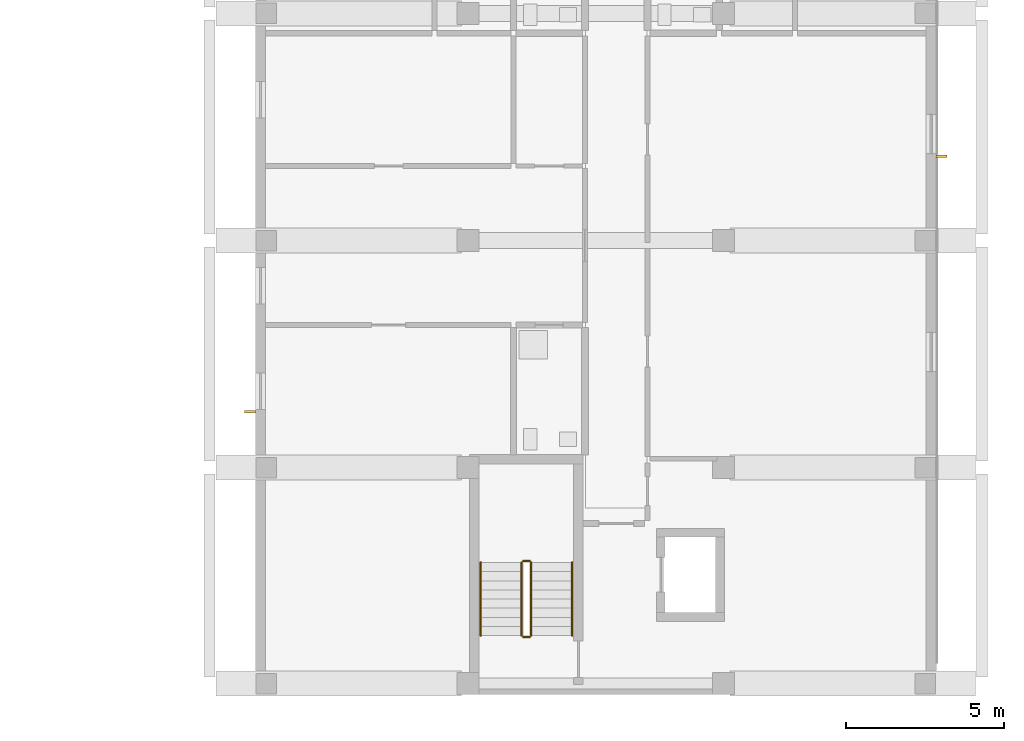
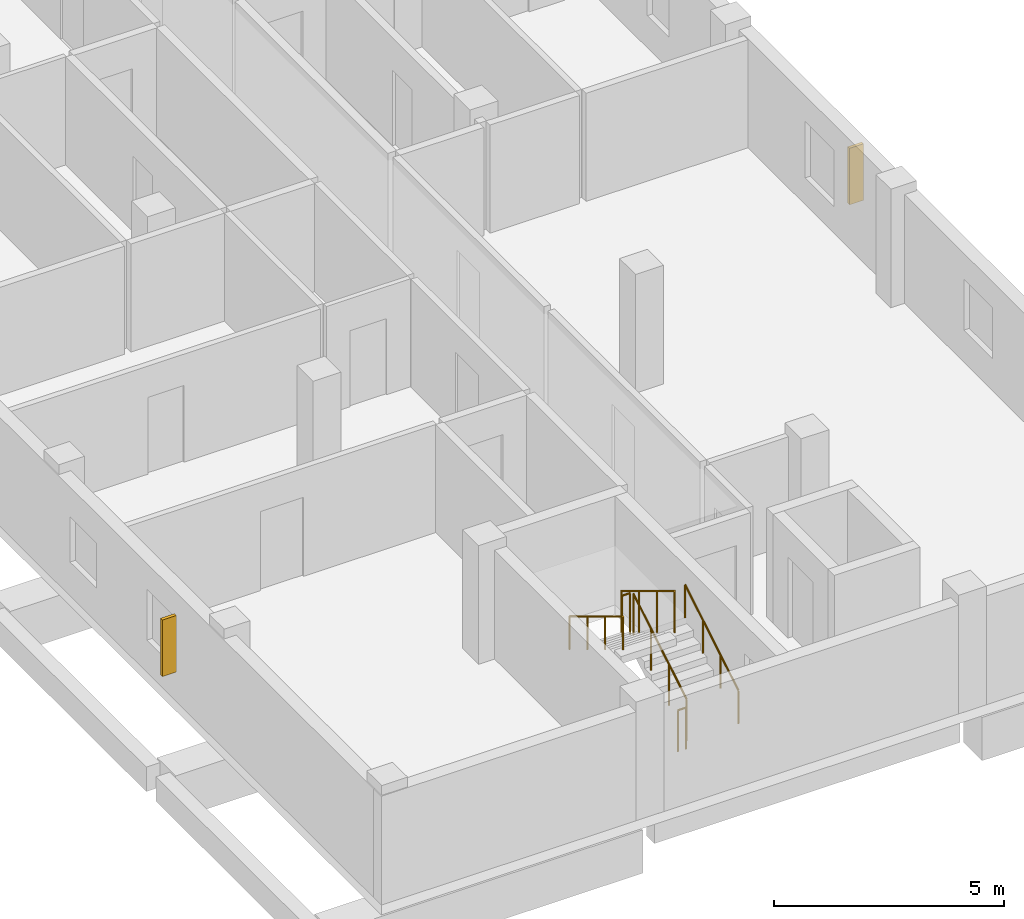
# One storey, part 45 of 51: 6 railings, 2 shading devices.
"""IFC4 building model written with IfcOpenShell, lengths in metres."""

import ifcopenshell
import ifcopenshell.guid

model = None  # the IFC model being written
_history = None  # IfcOwnerHistory: only IFC2X3 demands one
_inside = {}  # id of a spatial element -> (the spatial element, [elements in it])
_under = {}  # id of a project, library or spatial element -> (it, [spatial elements below it])
_declared = {}  # id of a project -> (the project, [libraries it declares])
_typed = {}  # id of a type object -> (the type object, [elements of that type])
_made_of = {}  # id of a material, layer set ... -> (it, [elements and type objects made of it])


def new_model(schema):
    """Start an empty IFC model of exactly this schema.

    Asked for "IFC4X3", IfcOpenShell would pick the latest addendum, in which some entities
    have other attributes; the version numbers below select the first issue.
    IFC2X3 requires an IfcOwnerHistory on every rooted entity: one is made here for all.
    """
    global model, _history
    if schema == "IFC4X3":
        model = ifcopenshell.file(schema_version=(4, 3, 0, 0))
    else:
        model = ifcopenshell.file(schema=schema)
    _inside.clear()
    _under.clear()
    _declared.clear()
    _typed.clear()
    _made_of.clear()
    _history = None
    if model.schema == "IFC2X3":
        org = make("IfcOrganization", Name="unknown")
        user = make(
            "IfcPersonAndOrganization",
            ThePerson=make("IfcPerson", FamilyName="unknown"),
            TheOrganization=org,
        )
        app = make(
            "IfcApplication",
            ApplicationDeveloper=org,
            Version="unknown",
            ApplicationFullName="unknown",
            ApplicationIdentifier="unknown",
        )
        _history = make(
            "IfcOwnerHistory",
            OwningUser=user,
            OwningApplication=app,
            ChangeAction="ADDED",
            CreationDate=0,
        )
    return model


def make(cls, **values):
    """One entity of the class cls with the attributes given. An attribute that is None is left unset."""
    return model.create_entity(
        cls, **{name: value for name, value in values.items() if value is not None}
    )


def rooted(cls, **values):
    """An entity with a GlobalId (a new one), such as an element, a storey or a relation."""
    return make(cls, GlobalId=ifcopenshell.guid.new(), OwnerHistory=_history, **values)


def si_unit(unit_type, name, prefix=None):
    """IfcSIUnit, for example si_unit("LENGTHUNIT", "METRE", prefix="MILLI")."""
    return make("IfcSIUnit", UnitType=unit_type, Prefix=prefix, Name=name)


def derived_unit(unit_type, elements):
    """IfcDerivedUnit: a product of units, each with its exponent."""
    return make(
        "IfcDerivedUnit",
        Elements=[
            make("IfcDerivedUnitElement", Unit=unit, Exponent=power)
            for unit, power in elements
        ],
        UnitType=unit_type,
    )


def assignment(units):
    """IfcUnitAssignment: the units of a project."""
    return None if units is None else make("IfcUnitAssignment", Units=units)


def point(xyz):
    """IfcCartesianPoint."""
    return None if xyz is None else make("IfcCartesianPoint", Coordinates=xyz)


def direction(xyz):
    """IfcDirection."""
    return None if xyz is None else make("IfcDirection", DirectionRatios=xyz)


def frame(location, z_axis=None, x_axis=None):
    """IfcAxis2Placement3D, a coordinate frame: its origin and axes. An axis left out is left unset."""
    return make(
        "IfcAxis2Placement3D",
        Location=point(location),
        Axis=direction(z_axis),
        RefDirection=direction(x_axis),
    )


def frame_2d(location, x_axis=None):
    """IfcAxis2Placement2D, a coordinate frame in the plane: its origin and x axis."""
    return make(
        "IfcAxis2Placement2D", Location=point(location), RefDirection=direction(x_axis)
    )


def origin():
    """The frame at (0, 0, 0) with its axes left unset."""
    return frame((0.0, 0.0, 0.0))


def origin_2d():
    """The frame at (0, 0) in the plane with its x axis left unset."""
    return frame_2d((0.0, 0.0))


def place(relative_to, where):
    """IfcLocalPlacement: puts the frame where relative to a parent placement (None: the world)."""
    return make(
        "IfcLocalPlacement", PlacementRelTo=relative_to, RelativePlacement=where
    )


def context(
    kind, dimensions, precision=None, world=None, true_north=None, identifier=None
):
    """IfcGeometricRepresentationContext, for example the 3D "Model" context."""
    return make(
        "IfcGeometricRepresentationContext",
        ContextIdentifier=identifier,
        ContextType=kind,
        CoordinateSpaceDimension=dimensions,
        Precision=precision,
        WorldCoordinateSystem=world,
        TrueNorth=true_north,
    )


def subcontext(parent, identifier, kind, view, scale=None):
    """IfcGeometricRepresentationSubContext, for example "Body" below "Model"."""
    return make(
        "IfcGeometricRepresentationSubContext",
        ContextIdentifier=identifier,
        ContextType=kind,
        ParentContext=parent,
        TargetScale=scale,
        TargetView=view,
    )


def project(units=None, contexts=None):
    """IfcProject with its units and contexts."""
    return rooted(
        "IfcProject",
        Name="project",
        RepresentationContexts=contexts,
        UnitsInContext=assignment(units),
    )


def spatial(cls, under=None, at=None, **own):
    """A site, building, storey or space (cls), placed at a placement, below another one or the project."""
    s = rooted(cls, ObjectPlacement=at, **own)
    if under is not None:
        _under.setdefault(under.id(), (under, []))[1].append(s)
    return s


def profile(cls, at=None, kind="AREA", **sizes):
    """A parametric profile (cls). Its sizes go by their IFC names, for example OverallWidth=200.0."""
    return make(cls, ProfileType=kind, Position=at, **sizes)


def rectangle(**sizes):
    """IfcRectangleProfileDef."""
    return profile("IfcRectangleProfileDef", **sizes)


def circle(**sizes):
    """IfcCircleProfileDef."""
    return profile("IfcCircleProfileDef", **sizes)


def extrude(swept, where, along, depth):
    """IfcExtrudedAreaSolid: the profile swept, set in the frame where, extruded along a direction by depth."""
    return make(
        "IfcExtrudedAreaSolid",
        SweptArea=swept,
        Position=where,
        ExtrudedDirection=direction(along),
        Depth=depth,
    )


def shape(context_of_items, identifier, shape_type, items):
    """IfcShapeRepresentation: the items that make up one representation, for example the "Body"."""
    return make(
        "IfcShapeRepresentation",
        ContextOfItems=context_of_items,
        RepresentationIdentifier=identifier,
        RepresentationType=shape_type,
        Items=items,
    )


def material(Name=None, Category=None):
    """IfcMaterial."""
    return make("IfcMaterial", Name=Name, Category=Category)


def made_of(thing, what):
    """Note that an element or type object is made of a material, layer set ...; save() writes the relation."""
    if what is not None:
        _made_of.setdefault(what.id(), (what, []))[1].append(thing)
    return thing


def type_object(cls, material=None, **own):
    """A type object (cls), such as IfcWallType, which elements share."""
    return made_of(rooted(cls, **own), material)


def element(
    cls,
    number,
    at=None,
    inside=None,
    cuts=None,
    type_object=None,
    material=None,
    context=None,
    identifier="Body",
    shape_type=None,
    held_by="IfcProductDefinitionShape",
    body=None,
    shapes=None,
    **own,
):
    """One element of the class cls, such as IfcWall. Its Tag is "e" and its number.

    at: its placement. inside: the storey or other place that contains it. cuts: it is an
    opening in that element (IfcRelVoidsElement). A single representation is given by context,
    identifier, shape_type and body (its items); several are given by shapes. held_by: the class
    of the entity that holds the representations. save() writes the other relations.
    """
    e = rooted(cls, Tag="e%d" % number, ObjectPlacement=at, **own)
    if body is not None:
        shapes = [shape(context, identifier, shape_type, body)]
    if shapes is not None:
        e.Representation = make(held_by, Representations=shapes)
    if inside is not None:
        _inside.setdefault(inside.id(), (inside, []))[1].append(e)
    if cuts is not None:
        rooted(
            "IfcRelVoidsElement", RelatingBuildingElement=cuts, RelatedOpeningElement=e
        )
    if type_object is not None:
        _typed.setdefault(type_object.id(), (type_object, []))[1].append(e)
    return made_of(e, material)


def aggregate(whole, parts):
    """IfcRelAggregates: a whole, such as a stair, and the parts it consists of."""
    return rooted("IfcRelAggregates", RelatingObject=whole, RelatedObjects=parts)


def save(model, path):
    """Write the relations noted so far, then the file.

    IfcRelAggregates (storeys below a building ...), IfcRelContainedInSpatialStructure (elements
    in a storey), IfcRelDefinesByType, IfcRelAssociatesMaterial and IfcRelDeclares: one each for
    every whole, place, type object, material and project.
    """
    for whole, parts in _under.values():
        aggregate(whole, parts)
    for where, things in _inside.values():
        rooted(
            "IfcRelContainedInSpatialStructure",
            RelatedElements=things,
            RelatingStructure=where,
        )
    for kind, things in _typed.values():
        rooted("IfcRelDefinesByType", RelatedObjects=things, RelatingType=kind)
    for what, things in _made_of.values():
        rooted("IfcRelAssociatesMaterial", RelatedObjects=things, RelatingMaterial=what)
    for by, libraries in _declared.values():
        rooted("IfcRelDeclares", RelatingContext=by, RelatedDefinitions=libraries)
    model.write(path)


model = new_model("IFC4")

# Units and contexts
model_context = context("Model", 3, precision=1e-05, world=origin(), true_north=direction((0.0, 1.0)))
body_context = subcontext(model_context, "Body", "Model", "MODEL_VIEW")
ifc_project = project(units=[si_unit("LENGTHUNIT", "METRE"), si_unit("AREAUNIT", "SQUARE_METRE"), si_unit("VOLUMEUNIT", "CUBIC_METRE"), si_unit("PLANEANGLEUNIT", "RADIAN"), si_unit("MASSUNIT", "GRAM", prefix="KILO"), derived_unit("THERMALTRANSMITTANCEUNIT", [(si_unit("MASSUNIT", "GRAM", prefix="KILO"), 1), (si_unit("TIMEUNIT", "SECOND"), -3), (si_unit("THERMODYNAMICTEMPERATUREUNIT", "KELVIN"), -1)])], contexts=[model_context])

# Site, building, storey
site_placement = place(None, origin())
site = spatial("IfcSite", under=ifc_project, at=site_placement, CompositionType="ELEMENT")
building_placement = place(site_placement, origin())
building = spatial("IfcBuilding", under=site, at=building_placement, Name="Ochrekiln Boulevard Commons", CompositionType="ELEMENT")
storey_placement = place(building_placement, frame((0.0, 0.0, 18.375)))
storey = spatial("IfcBuildingStorey", under=building, at=storey_placement, Name="L05", CompositionType="ELEMENT", Elevation=18.375)

# Railings
ifc_material_1 = material(Name="Brushed stainless steel 316 tubular railing", Category="steel")
railing_type_1 = type_object("IfcRailingType", Name="RLG-HDR-900", PredefinedType="HANDRAIL", material=ifc_material_1)
railing_1_placement = place(storey_placement, frame((159.449951171875, 1.8701171875, 0.175048828125)))
element("IfcRailing", 1, at=railing_1_placement, inside=storey, type_object=railing_type_1, Name="L05 ST-C1 stair handrail 1", PredefinedType="HANDRAIL", context=body_context, shape_type="SweptSolid", body=[
    extrude(circle(Radius=0.02392578125, at=origin_2d()), frame((0.0, 0.0, 0.8759765625), z_axis=(0.0, 0.856186286599, 0.516667245565), x_axis=(-1.0, 0.0, 0.0)), (0.0, 0.0, 1.0), 2.70947265625),
    extrude(circle(Radius=0.02099609375, at=origin_2d()), origin(), (0.0, 0.0, 1.0), 0.851806640625),
    extrude(circle(Radius=0.02099609375, at=origin_2d()), frame((0.0, 0.773193359375, 0.466552734375)), (0.0, 0.0, 1.0), 0.851806640625),
    extrude(circle(Radius=0.02099609375, at=origin_2d()), frame((0.0, 1.546630859375, 0.933349609375)), (0.0, 0.0, 1.0), 0.851806640625),
    extrude(circle(Radius=0.02099609375, at=origin_2d()), frame((0.0, 2.31982421875, 1.39990234375)), (0.0, 0.0, 1.0), 0.851806640625),
])
railing_2_placement = place(storey_placement, frame((156.550048828125, 4.18994140625, 1.75)))
element("IfcRailing", 2, at=railing_2_placement, inside=storey, type_object=railing_type_1, Name="L05 ST-C1 stair handrail 2", PredefinedType="HANDRAIL", context=body_context, shape_type="SweptSolid", body=[
    extrude(circle(Radius=0.02392578125, at=origin_2d()), frame((0.0, 0.0, 0.8759765625), z_axis=(0.0, -0.856186286599, 0.516667245565), x_axis=(1.0, 0.0, 0.0)), (0.0, 0.0, 1.0), 2.70947265625),
    extrude(circle(Radius=0.02099609375, at=origin_2d()), origin(), (0.0, 0.0, 1.0), 0.851806640625),
    extrude(circle(Radius=0.02099609375, at=origin_2d()), frame((0.0, -0.773193359375, 0.466552734375)), (0.0, 0.0, 1.0), 0.851806640625),
    extrude(circle(Radius=0.02099609375, at=origin_2d()), frame((0.0, -1.546630859375, 0.933349609375)), (0.0, 0.0, 1.0), 0.851806640625),
    extrude(circle(Radius=0.02099609375, at=origin_2d()), frame((0.0, -2.31982421875, 1.39990234375)), (0.0, 0.0, 1.0), 0.851806640625),
])
railing_type_2 = type_object("IfcRailingType", Name="RLG-STR-1120", PredefinedType="BALUSTRADE", material=ifc_material_1)
railing_3_placement = place(storey_placement, frame((158.14990234375, 1.8701171875, 0.175048828125)))
element("IfcRailing", 3, at=railing_3_placement, inside=storey, type_object=railing_type_2, Name="L05 ST-C1 stair guard 1", PredefinedType="BALUSTRADE", context=body_context, shape_type="SweptSolid", body=[
    extrude(circle(Radius=0.02392578125, at=origin_2d()), frame((0.0, 0.0, 1.09619140625), z_axis=(0.0, 0.856186286599, 0.516667245565), x_axis=(-1.0, 0.0, 0.0)), (0.0, 0.0, 1.0), 2.70947265625),
    extrude(circle(Radius=0.02099609375, at=origin_2d()), origin(), (0.0, 0.0, 1.0), 1.072021484375),
    extrude(circle(Radius=0.02099609375, at=origin_2d()), frame((0.0, 0.773193359375, 0.466552734375)), (0.0, 0.0, 1.0), 1.072021484375),
    extrude(circle(Radius=0.02099609375, at=origin_2d()), frame((0.0, 1.546630859375, 0.933349609375)), (0.0, 0.0, 1.0), 1.072021484375),
    extrude(circle(Radius=0.02099609375, at=origin_2d()), frame((0.0, 2.31982421875, 1.39990234375)), (0.0, 0.0, 1.0), 1.072021484375),
])
railing_4_placement = place(storey_placement, frame((158.10009765625, 4.239990234375, 1.574951171875)))
element("IfcRailing", 4, at=railing_4_placement, inside=storey, type_object=railing_type_2, Name="L05 ST-C1 stair guard 2", PredefinedType="BALUSTRADE", context=body_context, shape_type="SweptSolid", body=[
    extrude(circle(Radius=0.02392578125, at=origin_2d()), frame((0.0, 0.0, 1.09619140625), z_axis=(-1.0, 0.0, 0.0), x_axis=(0.0, -1.0, 0.0)), (0.0, 0.0, 1.0), 0.2001953125),
    extrude(circle(Radius=0.02099609375, at=origin_2d()), origin(), (0.0, 0.0, 1.0), 1.072021484375),
    extrude(circle(Radius=0.02099609375, at=origin_2d()), frame((-0.2001953125, 0.0, 0.0)), (0.0, 0.0, 1.0), 1.072021484375),
])
railing_5_placement = place(storey_placement, frame((157.85009765625, 4.18994140625, 1.75)))
element("IfcRailing", 5, at=railing_5_placement, inside=storey, type_object=railing_type_2, Name="L05 ST-C1 stair guard 3", PredefinedType="BALUSTRADE", context=body_context, shape_type="SweptSolid", body=[
    extrude(circle(Radius=0.02392578125, at=origin_2d()), frame((0.0, 0.0, 1.09619140625), z_axis=(0.0, -0.856186286599, 0.516667245565), x_axis=(1.0, 0.0, 0.0)), (0.0, 0.0, 1.0), 2.70947265625),
    extrude(circle(Radius=0.02099609375, at=origin_2d()), origin(), (0.0, 0.0, 1.0), 1.072021484375),
    extrude(circle(Radius=0.02099609375, at=origin_2d()), frame((0.0, -0.773193359375, 0.466552734375)), (0.0, 0.0, 1.0), 1.072021484375),
    extrude(circle(Radius=0.02099609375, at=origin_2d()), frame((0.0, -1.546630859375, 0.933349609375)), (0.0, 0.0, 1.0), 1.072021484375),
    extrude(circle(Radius=0.02099609375, at=origin_2d()), frame((0.0, -2.31982421875, 1.39990234375)), (0.0, 0.0, 1.0), 1.072021484375),
])
railing_6_placement = place(storey_placement, frame((158.10009765625, 1.820068359375, 0.0)))
element("IfcRailing", 6, at=railing_6_placement, inside=storey, type_object=railing_type_2, Name="L05 ST-C1 stair guard 4", PredefinedType="BALUSTRADE", context=body_context, shape_type="SweptSolid", body=[
    extrude(circle(Radius=0.02392578125, at=origin_2d()), frame((0.0, 0.0, 1.09619140625), z_axis=(-1.0, 0.0, 0.0), x_axis=(0.0, -1.0, 0.0)), (0.0, 0.0, 1.0), 0.2001953125),
    extrude(circle(Radius=0.02099609375, at=origin_2d()), origin(), (0.0, 0.0, 1.0), 1.072021484375),
    extrude(circle(Radius=0.02099609375, at=origin_2d()), frame((-0.2001953125, 0.0, 0.0)), (0.0, 0.0, 1.0), 1.072021484375),
])

# Shading devices
ifc_material_2 = material(Name="Glazed architectural terracotta ASTM C1405", Category="masonry")
shading_device_type = type_object("IfcShadingDeviceType", Name="SHD-FIN-TERRA", PredefinedType="JALOUSIE", material=ifc_material_2)
for number, where, z_axis, x_axis, name in (
    (7, (149.22998046875, 8.964111328125, 0.780029296875), (0.0, 0.0, 1.0), (1.0, 0.0, 0.0), "Terracotta Solar Shading Fin SF-01 (62)"),
    (8, (171.169921875, 17.072998046875, 0.705078125), (0.0, 0.0, 1.0), (1.0, 0.0, 0.0), "Terracotta Solar Shading Fin SF-01 (63)"),
):
    element("IfcShadingDevice", number, at=place(storey_placement, frame(where, z_axis=z_axis, x_axis=x_axis)), inside=storey, type_object=shading_device_type, Name=name, PredefinedType="JALOUSIE", context=body_context, shape_type="SweptSolid", body=[
        extrude(rectangle(XDim=0.35009765625, YDim=0.080078125, at=origin_2d()), origin(), (0.0, 0.0, 1.0), 1.5),
    ])

save(model, "model.ifc")
